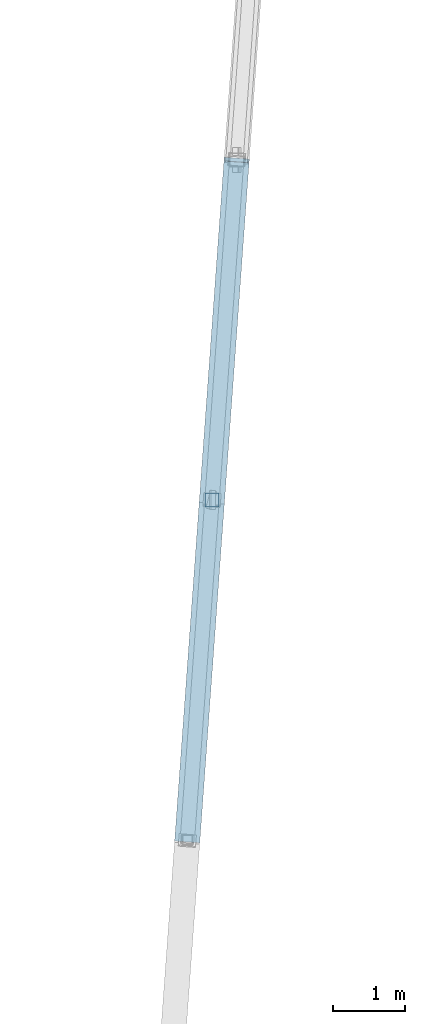
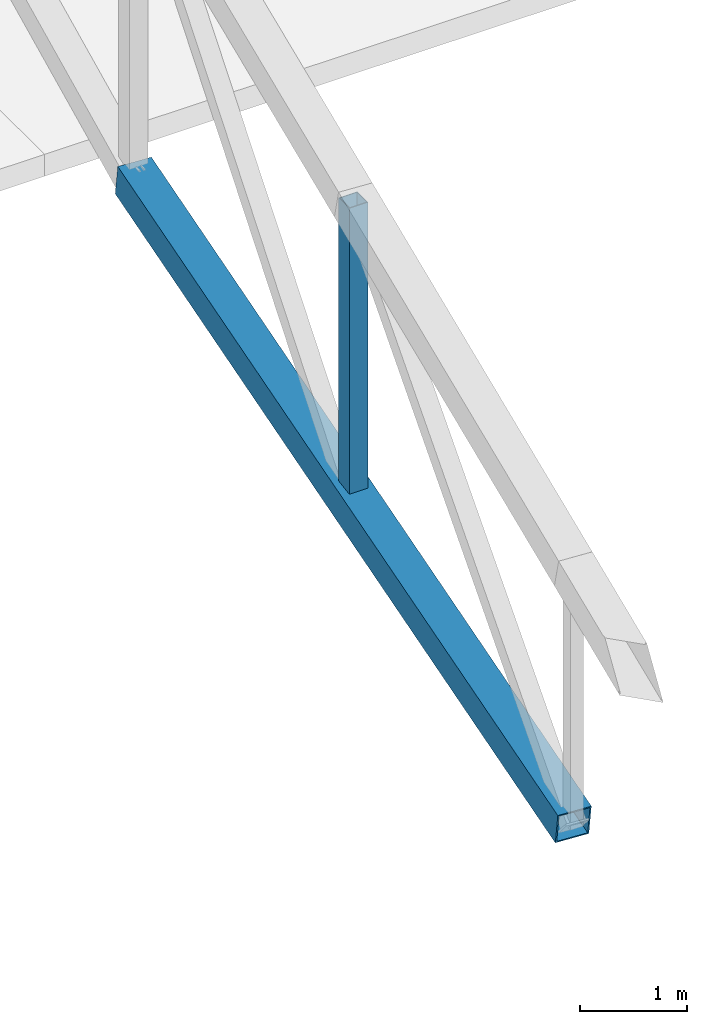
# One storey, part 74 of 188: 2 members.
"""IFC4 building model written with IfcOpenShell, lengths in metres."""

from ifc_helpers import new_model, si_unit, direction, frame, origin, origin_2d, place, context, subcontext, project, spatial, hollow_rectangle, extrude, material, material_profile, profile_set, type_object, element, save


model = new_model("IFC4")

# Units and contexts
model_context = context("Model", 3, precision=1e-05, world=origin(), true_north=direction((0.0, 1.0)))
body_context = subcontext(model_context, "Body", "Model", "MODEL_VIEW")
ifc_project = project(units=[si_unit("LENGTHUNIT", "METRE"), si_unit("AREAUNIT", "SQUARE_METRE"), si_unit("VOLUMEUNIT", "CUBIC_METRE"), si_unit("PLANEANGLEUNIT", "RADIAN"), si_unit("MASSUNIT", "GRAM", prefix="KILO")], contexts=[model_context])

# Site, building, storey
site_placement = place(None, origin())
site = spatial("IfcSite", under=ifc_project, at=site_placement, CompositionType="ELEMENT")
building_placement = place(site_placement, origin())
building = spatial("IfcBuilding", under=site, at=building_placement, Name="Meseta Stadium", CompositionType="ELEMENT")
storey_placement = place(building_placement, frame((0.0, 0.0, 30.0)))
storey = spatial("IfcBuildingStorey", under=building, at=storey_placement, Name="ROOF", CompositionType="ELEMENT", Elevation=30.0)

# Members
ifc_material_1 = material(Name="Steel S355", Category="steel")
ifc_material_profile_1 = material_profile(ifc_material_1, hollow_rectangle(XDim=0.199951171875, YDim=0.199951171875, WallThickness=0.008056640625, at=origin_2d()), Name="SHS 200x200x8")
ifc_profile_set_1 = profile_set([ifc_material_profile_1], Name="Steel S355")
member_type_1 = type_object("IfcMemberType", Name="SHS 200x200x8 post", PredefinedType="POST", material=ifc_profile_set_1)
member_1_placement = place(storey_placement, frame((6.17529296875, 84.83349609375, 1.644287109375), z_axis=(0.0, 0.0, 1.0), x_axis=(1.0, 0.0, 0.0)))
element("IfcMember", 1, at=member_1_placement, inside=storey, type_object=member_type_1, Name="ROOF TRUSS RT-18 post", PredefinedType="POST", context=body_context, shape_type="SweptSolid", body=[
    extrude(hollow_rectangle(XDim=0.199951171875, YDim=0.199951171875, WallThickness=0.008056640625, at=origin_2d()), origin(), (0.0, 0.0, 1.0), 3.430419921875),
])
ifc_material_2 = material(Name="Steel S355", Category="steel")
ifc_material_profile_2 = material_profile(ifc_material_2, hollow_rectangle(XDim=0.35009765625, YDim=0.35009765625, WallThickness=0.01416015625, at=origin_2d()), Name="SHS 350x350x14.2")
ifc_profile_set_2 = profile_set([ifc_material_profile_2], Name="Steel S355")
member_type_2 = type_object("IfcMemberType", Name="SHS 350x350x14.2 bottom chord", PredefinedType="CHORD", material=ifc_profile_set_2)
member_2_placement = place(storey_placement, frame((5.83349609375, 80.120361328125, 0.911865234375), z_axis=(0.071478200615, 0.985607802699, 0.153193100676), x_axis=(-0.997380611182, 0.072331987653, 0.0)))
element("IfcMember", 2, at=member_2_placement, inside=storey, type_object=member_type_2, Name="ROOF TRUSS RT-18 bottom chord", PredefinedType="CHORD", context=body_context, shape_type="SweptSolid", body=[
    extrude(hollow_rectangle(XDim=0.35009765625, YDim=0.35009765625, WallThickness=0.01416015625, at=origin_2d()), origin(), (0.0, 0.0, 1.0), 9.563720703125),
])

save(model, "model.ifc")
